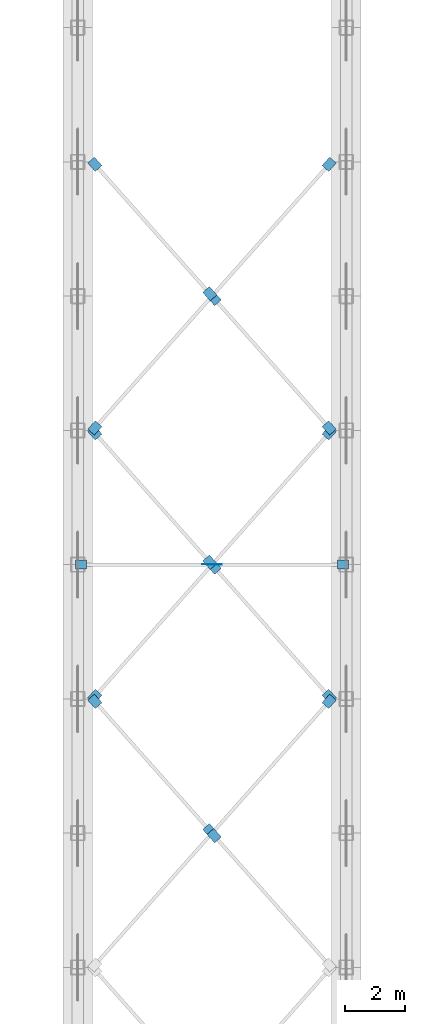
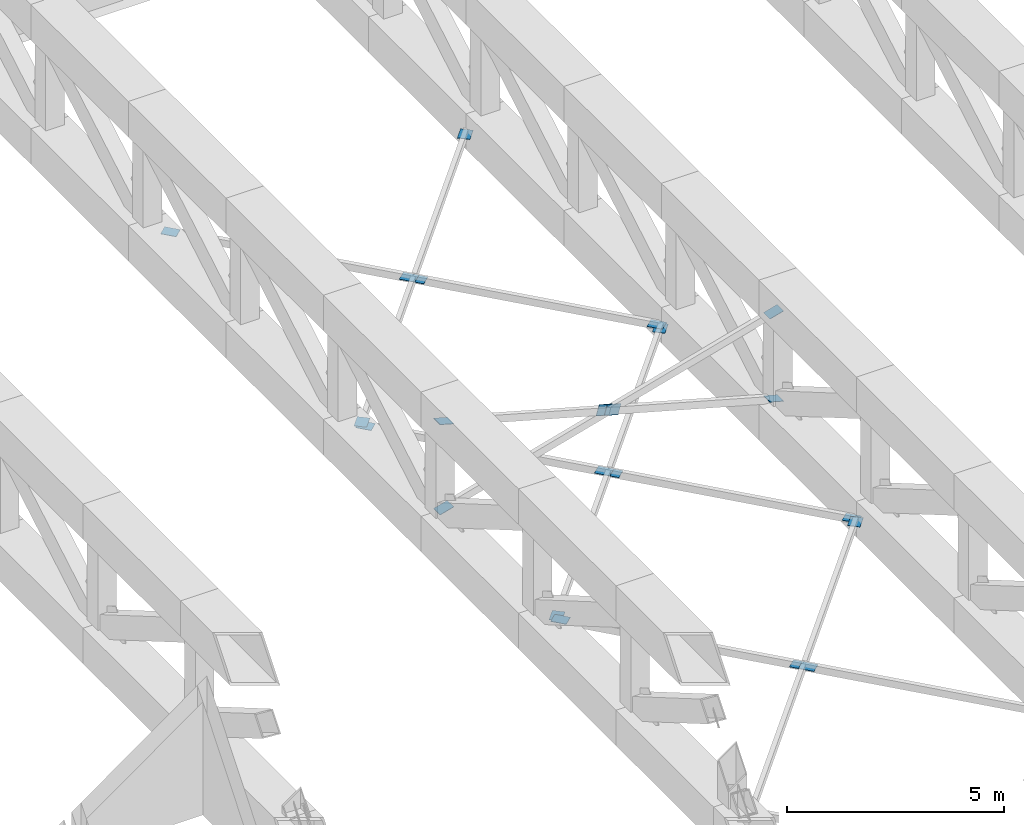
# One storey, part 62 of 76: 22 discrete accessories.
"""IFC4 building model written with IfcOpenShell, lengths in metres."""

from ifc_helpers import new_model, si_unit, direction, frame, origin, place, context, subcontext, project, spatial, polyline, outline, extrude, material, layer, layer_set, type_object, element, save


model = new_model("IFC4")

# Units and contexts
model_context = context("Model", 3, precision=1e-05, world=origin(), true_north=direction((0.0, 1.0)))
body_context = subcontext(model_context, "Body", "Model", "MODEL_VIEW")
ifc_project = project(units=[si_unit("LENGTHUNIT", "METRE"), si_unit("AREAUNIT", "SQUARE_METRE"), si_unit("VOLUMEUNIT", "CUBIC_METRE"), si_unit("PLANEANGLEUNIT", "RADIAN"), si_unit("MASSUNIT", "GRAM", prefix="KILO")], contexts=[model_context])

# Site, building, storey
site_placement = place(None, origin())
site = spatial("IfcSite", under=ifc_project, at=site_placement, CompositionType="ELEMENT")
building_placement = place(site_placement, origin())
building = spatial("IfcBuilding", under=site, at=building_placement, Name="Aravalli Gate Trade Fair Centre", CompositionType="ELEMENT")
storey_placement = place(building_placement, frame((0.0, 0.0, 10.0)))
storey = spatial("IfcBuildingStorey", under=building, at=storey_placement, Name="L02", CompositionType="ELEMENT", Elevation=10.0)

# Discrete accessories
ifc_material = material(Name="Steel E350", Category="steel")
ifc_layer = layer(ifc_material, 0.011962890625)
ifc_layer_set = layer_set([ifc_layer], Name="Steel E350")
discrete_accessory_type = type_object("IfcDiscreteAccessoryType", Name="Gusset plate 300 x 300 x 12", PredefinedType="USERDEFINED", material=ifc_layer_set)
discrete_accessory_1_placement = place(storey_placement, frame((32.412841796875, 72.676025390625, 0.506103515625), z_axis=(0.0, 0.0, 1.0), x_axis=(0.664124608323, 0.747621899505, 0.0)))
element("IfcDiscreteAccessory", 1, at=discrete_accessory_1_placement, inside=storey, type_object=discrete_accessory_type, Name="Gusset plate FT plan brace bay 3 cell 3A end B", ObjectType="GUSSET PLATE", PredefinedType="USERDEFINED", context=body_context, shape_type="SweptSolid", body=[
    extrude(outline(polyline([(0.0, 0.0), (0.3801115078198438, 0.0), (0.38004533471122237, 0.3000464370207233), (0.0002784915661413201, 0.30002605193986837), (0.0, 0.0)])), origin(), (0.0, 0.0, -1.0), 0.011962890625),
])
discrete_accessory_2_placement = place(storey_placement, frame((24.587158203125, 72.676025390625, 0.506103515625), z_axis=(0.0, 0.0, 1.0), x_axis=(-0.664124608323, 0.747621899505, 0.0)))
element("IfcDiscreteAccessory", 2, at=discrete_accessory_2_placement, inside=storey, type_object=discrete_accessory_type, Name="Gusset plate FT plan brace bay 3 cell 3B half 1 end A", ObjectType="GUSSET PLATE", PredefinedType="USERDEFINED", context=body_context, shape_type="SweptSolid", body=[
    extrude(outline(polyline([(0.0, 0.0), (0.3801115078198438, 0.0), (0.38004533471122237, -0.3000464370207233), (0.0002784915661413201, -0.30002605193986837), (0.0, 0.0)])), origin(), (0.0, 0.0, -1.0), 0.011962890625),
])
discrete_accessory_3_placement = place(storey_placement, frame((28.188720703125, 68.62451171875, 0.506103515625), z_axis=(0.0, 0.0, 1.0), x_axis=(0.664084476604, -0.747657547232, 0.0)))
element("IfcDiscreteAccessory", 3, at=discrete_accessory_3_placement, inside=storey, type_object=discrete_accessory_type, Name="Gusset plate FT plan brace bay 3 cell 3B half 1 end B", ObjectType="GUSSET PLATE", PredefinedType="USERDEFINED", context=body_context, shape_type="SweptSolid", body=[
    extrude(outline(polyline([(0.0, 0.0), (0.37976684369219504, 0.0), (0.3798169109426651, 0.30004644014049164), (-0.0002945963295681586, 0.30002603655879534), (0.0, 0.0)])), origin(), (0.0, 0.0, -1.0), 0.011962890625),
])
discrete_accessory_4_placement = place(storey_placement, frame((28.587158203125, 68.176025390625, 0.506103515625), z_axis=(0.0, 0.0, 1.0), x_axis=(-0.664124608323, 0.747621899505, 0.0)))
element("IfcDiscreteAccessory", 4, at=discrete_accessory_4_placement, inside=storey, type_object=discrete_accessory_type, Name="Gusset plate FT plan brace bay 3 cell 3B half 2 end A", ObjectType="GUSSET PLATE", PredefinedType="USERDEFINED", context=body_context, shape_type="SweptSolid", body=[
    extrude(outline(polyline([(0.0, 0.0), (0.3801115078198438, 0.0), (0.38004533471122237, -0.3000464370207233), (0.0002784915661413201, -0.30002605193986837), (0.0, 0.0)])), origin(), (0.0, 0.0, -1.0), 0.011962890625),
])
discrete_accessory_5_placement = place(storey_placement, frame((24.811279296875, 73.12451171875, 0.506103515625), z_axis=(0.0, 0.0, 1.0), x_axis=(-0.664084476604, -0.747657547232, 0.0)))
element("IfcDiscreteAccessory", 5, at=discrete_accessory_5_placement, inside=storey, type_object=discrete_accessory_type, Name="Gusset plate FT plan brace bay 3 cell 4A end A", ObjectType="GUSSET PLATE", PredefinedType="USERDEFINED", context=body_context, shape_type="SweptSolid", body=[
    extrude(outline(polyline([(0.0, 0.0), (0.37976684369219504, 0.0), (0.3798169109426651, -0.30004644014049164), (-0.0002945963295681586, -0.30002603655879534), (0.0, 0.0)])), origin(), (0.0, 0.0, -1.0), 0.011962890625),
])
discrete_accessory_6_placement = place(storey_placement, frame((32.412841796875, 81.676025390625, 0.506103515625), z_axis=(0.0, 0.0, 1.0), x_axis=(0.664124608323, 0.747621899505, 0.0)))
element("IfcDiscreteAccessory", 6, at=discrete_accessory_6_placement, inside=storey, type_object=discrete_accessory_type, Name="Gusset plate FT plan brace bay 3 cell 4A end B", ObjectType="GUSSET PLATE", PredefinedType="USERDEFINED", context=body_context, shape_type="SweptSolid", body=[
    extrude(outline(polyline([(0.0, 0.0), (0.3801115078198438, 0.0), (0.38004533471122237, 0.3000464370207233), (0.0002784915661413201, 0.30002605193986837), (0.0, 0.0)])), origin(), (0.0, 0.0, -1.0), 0.011962890625),
])
discrete_accessory_7_placement = place(storey_placement, frame((24.587158203125, 81.676025390625, 0.506103515625), z_axis=(0.0, 0.0, 1.0), x_axis=(-0.664124608323, 0.747621899505, 0.0)))
element("IfcDiscreteAccessory", 7, at=discrete_accessory_7_placement, inside=storey, type_object=discrete_accessory_type, Name="Gusset plate FT plan brace bay 3 cell 4B half 1 end A", ObjectType="GUSSET PLATE", PredefinedType="USERDEFINED", context=body_context, shape_type="SweptSolid", body=[
    extrude(outline(polyline([(0.0, 0.0), (0.3801115078198438, 0.0), (0.38004533471122237, -0.3000464370207233), (0.0002784915661413201, -0.30002605193986837), (0.0, 0.0)])), origin(), (0.0, 0.0, -1.0), 0.011962890625),
])
discrete_accessory_8_placement = place(storey_placement, frame((28.188720703125, 77.62451171875, 0.506103515625), z_axis=(0.0, 0.0, 1.0), x_axis=(0.664084476604, -0.747657547232, 0.0)))
element("IfcDiscreteAccessory", 8, at=discrete_accessory_8_placement, inside=storey, type_object=discrete_accessory_type, Name="Gusset plate FT plan brace bay 3 cell 4B half 1 end B", ObjectType="GUSSET PLATE", PredefinedType="USERDEFINED", context=body_context, shape_type="SweptSolid", body=[
    extrude(outline(polyline([(0.0, 0.0), (0.37976684369219504, 0.0), (0.3798169109426651, 0.30004644014049164), (-0.0002945963295681586, 0.30002603655879534), (0.0, 0.0)])), origin(), (0.0, 0.0, -1.0), 0.011962890625),
])
discrete_accessory_9_placement = place(storey_placement, frame((28.587158203125, 77.176025390625, 0.506103515625), z_axis=(0.0, 0.0, 1.0), x_axis=(-0.664124608323, 0.747621899505, 0.0)))
element("IfcDiscreteAccessory", 9, at=discrete_accessory_9_placement, inside=storey, type_object=discrete_accessory_type, Name="Gusset plate FT plan brace bay 3 cell 4B half 2 end A", ObjectType="GUSSET PLATE", PredefinedType="USERDEFINED", context=body_context, shape_type="SweptSolid", body=[
    extrude(outline(polyline([(0.0, 0.0), (0.3801115078198438, 0.0), (0.38004533471122237, -0.3000464370207233), (0.0002784915661413201, -0.30002605193986837), (0.0, 0.0)])), origin(), (0.0, 0.0, -1.0), 0.011962890625),
])
discrete_accessory_10_placement = place(storey_placement, frame((32.188720703125, 73.12451171875, 0.506103515625), z_axis=(0.0, 0.0, 1.0), x_axis=(0.664084476604, -0.747657547232, 0.0)))
element("IfcDiscreteAccessory", 10, at=discrete_accessory_10_placement, inside=storey, type_object=discrete_accessory_type, Name="Gusset plate FT plan brace bay 3 cell 4B half 2 end B", ObjectType="GUSSET PLATE", PredefinedType="USERDEFINED", context=body_context, shape_type="SweptSolid", body=[
    extrude(outline(polyline([(0.0, 0.0), (0.37976684369219504, 0.0), (0.3798169109426651, 0.30004644014049164), (-0.0002945963295681586, 0.30002603655879534), (0.0, 0.0)])), origin(), (0.0, 0.0, -1.0), 0.011962890625),
])
discrete_accessory_11_placement = place(storey_placement, frame((24.811279296875, 82.12451171875, 0.506103515625), z_axis=(0.0, 0.0, 1.0), x_axis=(-0.664084476604, -0.747657547232, 0.0)))
element("IfcDiscreteAccessory", 11, at=discrete_accessory_11_placement, inside=storey, type_object=discrete_accessory_type, Name="Gusset plate FT plan brace bay 3 cell 5A end A", ObjectType="GUSSET PLATE", PredefinedType="USERDEFINED", context=body_context, shape_type="SweptSolid", body=[
    extrude(outline(polyline([(0.0, 0.0), (0.37976684369219504, 0.0), (0.3798169109426651, -0.30004644014049164), (-0.0002945963295681586, -0.30002603655879534), (0.0, 0.0)])), origin(), (0.0, 0.0, -1.0), 0.011962890625),
])
discrete_accessory_12_placement = place(storey_placement, frame((32.412841796875, 90.676025390625, 0.506103515625), z_axis=(0.0, 0.0, 1.0), x_axis=(0.664124608323, 0.747621899505, 0.0)))
element("IfcDiscreteAccessory", 12, at=discrete_accessory_12_placement, inside=storey, type_object=discrete_accessory_type, Name="Gusset plate FT plan brace bay 3 cell 5A end B", ObjectType="GUSSET PLATE", PredefinedType="USERDEFINED", context=body_context, shape_type="SweptSolid", body=[
    extrude(outline(polyline([(0.0, 0.0), (0.3801115078198438, 0.0), (0.38004533471122237, 0.3000464370207233), (0.0002784915661413201, 0.30002605193986837), (0.0, 0.0)])), origin(), (0.0, 0.0, -1.0), 0.011962890625),
])
discrete_accessory_13_placement = place(storey_placement, frame((24.587158203125, 90.676025390625, 0.506103515625), z_axis=(0.0, 0.0, 1.0), x_axis=(-0.664124608323, 0.747621899505, 0.0)))
element("IfcDiscreteAccessory", 13, at=discrete_accessory_13_placement, inside=storey, type_object=discrete_accessory_type, Name="Gusset plate FT plan brace bay 3 cell 5B half 1 end A", ObjectType="GUSSET PLATE", PredefinedType="USERDEFINED", context=body_context, shape_type="SweptSolid", body=[
    extrude(outline(polyline([(0.0, 0.0), (0.3801115078198438, 0.0), (0.38004533471122237, -0.3000464370207233), (0.0002784915661413201, -0.30002605193986837), (0.0, 0.0)])), origin(), (0.0, 0.0, -1.0), 0.011962890625),
])
discrete_accessory_14_placement = place(storey_placement, frame((28.188720703125, 86.62451171875, 0.506103515625), z_axis=(0.0, 0.0, 1.0), x_axis=(0.664084476604, -0.747657547232, 0.0)))
element("IfcDiscreteAccessory", 14, at=discrete_accessory_14_placement, inside=storey, type_object=discrete_accessory_type, Name="Gusset plate FT plan brace bay 3 cell 5B half 1 end B", ObjectType="GUSSET PLATE", PredefinedType="USERDEFINED", context=body_context, shape_type="SweptSolid", body=[
    extrude(outline(polyline([(0.0, 0.0), (0.37976684369219504, 0.0), (0.3798169109426651, 0.30004644014049164), (-0.0002945963295681586, 0.30002603655879534), (0.0, 0.0)])), origin(), (0.0, 0.0, -1.0), 0.011962890625),
])
discrete_accessory_15_placement = place(storey_placement, frame((28.587158203125, 86.176025390625, 0.506103515625), z_axis=(0.0, 0.0, 1.0), x_axis=(-0.664124608323, 0.747621899505, 0.0)))
element("IfcDiscreteAccessory", 15, at=discrete_accessory_15_placement, inside=storey, type_object=discrete_accessory_type, Name="Gusset plate FT plan brace bay 3 cell 5B half 2 end A", ObjectType="GUSSET PLATE", PredefinedType="USERDEFINED", context=body_context, shape_type="SweptSolid", body=[
    extrude(outline(polyline([(0.0, 0.0), (0.3801115078198438, 0.0), (0.38004533471122237, -0.3000464370207233), (0.0002784915661413201, -0.30002605193986837), (0.0, 0.0)])), origin(), (0.0, 0.0, -1.0), 0.011962890625),
])
discrete_accessory_16_placement = place(storey_placement, frame((32.188720703125, 82.12451171875, 0.506103515625), z_axis=(0.0, 0.0, 1.0), x_axis=(0.664084476604, -0.747657547232, 0.0)))
element("IfcDiscreteAccessory", 16, at=discrete_accessory_16_placement, inside=storey, type_object=discrete_accessory_type, Name="Gusset plate FT plan brace bay 3 cell 5B half 2 end B", ObjectType="GUSSET PLATE", PredefinedType="USERDEFINED", context=body_context, shape_type="SweptSolid", body=[
    extrude(outline(polyline([(0.0, 0.0), (0.37976684369219504, 0.0), (0.3798169109426651, 0.30004644014049164), (-0.0002945963295681586, 0.30002603655879534), (0.0, 0.0)])), origin(), (0.0, 0.0, -1.0), 0.011962890625),
])
discrete_accessory_17_placement = place(storey_placement, frame((24.287353515625, 77.35009765625, 1.086181640625), z_axis=(-0.268008474485, 0.0, 0.963416554562), x_axis=(-0.963416554562, 0.0, -0.268008474485)))
element("IfcDiscreteAccessory", 17, at=discrete_accessory_17_placement, inside=storey, type_object=discrete_accessory_type, Name="Gusset plate FT vertical brace bay 3 frame 2A end A", ObjectType="GUSSET PLATE", PredefinedType="USERDEFINED", context=body_context, shape_type="SweptSolid", body=[
    extrude(outline(polyline([(0.0, 0.0), (0.3798635129757732, 0.0), (0.3798635129757732, -0.29980468749999994), (0.0, -0.29980468749999994), (0.0, 0.0)])), origin(), (0.0, 0.0, -1.0), 0.011962890625),
])
discrete_accessory_18_placement = place(storey_placement, frame((32.709228515625, 77.35009765625, 3.425537109375), z_axis=(-0.267246240794, 0.0, 0.963628272095), x_axis=(0.963628272095, 0.0, 0.267246240794)))
element("IfcDiscreteAccessory", 18, at=discrete_accessory_18_placement, inside=storey, type_object=discrete_accessory_type, Name="Gusset plate FT vertical brace bay 3 frame 2A end B", ObjectType="GUSSET PLATE", PredefinedType="USERDEFINED", context=body_context, shape_type="SweptSolid", body=[
    extrude(outline(polyline([(0.0, 0.0), (0.3800334092561849, 0.0), (0.3800334092561849, 0.2998046875), (0.0, 0.2998046875), (0.0, 0.0)])), origin(), (0.0, 0.0, -1.0), 0.011962890625),
])
discrete_accessory_19_placement = place(storey_placement, frame((24.290771484375, 77.35009765625, 3.425537109375), z_axis=(0.267246240794, 0.0, 0.963628272095), x_axis=(-0.963628272095, 0.0, 0.267246240794)))
element("IfcDiscreteAccessory", 19, at=discrete_accessory_19_placement, inside=storey, type_object=discrete_accessory_type, Name="Gusset plate FT vertical brace bay 3 frame 2B half 1 end A", ObjectType="GUSSET PLATE", PredefinedType="USERDEFINED", context=body_context, shape_type="SweptSolid", body=[
    extrude(outline(polyline([(0.0, 0.0), (0.3800334092561849, 0.0), (0.3800334092561849, -0.2998046875), (0.0, -0.2998046875), (0.0, 0.0)])), origin(), (0.0, 0.0, -1.0), 0.011962890625),
])
discrete_accessory_20_placement = place(storey_placement, frame((28.1708984375, 77.506103515625, 2.185791015625), z_axis=(0.0, -1.0, 0.0), x_axis=(0.963416554562, 0.0, -0.268008474485)))
element("IfcDiscreteAccessory", 20, at=discrete_accessory_20_placement, inside=storey, type_object=discrete_accessory_type, Name="Gusset plate FT vertical brace bay 3 frame 2B half 1 end B", ObjectType="GUSSET PLATE", PredefinedType="USERDEFINED", context=body_context, shape_type="SweptSolid", body=[
    extrude(outline(polyline([(0.0, 0.0), (0.3798635129757732, 0.0), (0.37977611372313164, 0.30001464568042957), (-8.73992526415901e-05, 0.30001464568042957), (0.0, 0.0)])), origin(), (0.0, 0.0, -1.0), 0.011962890625),
])
discrete_accessory_21_placement = place(storey_placement, frame((28.748779296875, 77.506103515625, 2.025146484375), z_axis=(0.0, 1.0, 0.0), x_axis=(-0.963416554562, 0.0, 0.268008474485)))
element("IfcDiscreteAccessory", 21, at=discrete_accessory_21_placement, inside=storey, type_object=discrete_accessory_type, Name="Gusset plate FT vertical brace bay 3 frame 2B half 2 end A", ObjectType="GUSSET PLATE", PredefinedType="USERDEFINED", context=body_context, shape_type="SweptSolid", body=[
    extrude(outline(polyline([(0.0, 0.0), (0.3798635129757732, 0.0), (0.3799509122284148, 0.30001464568042957), (8.73992526415901e-05, 0.30001464568042957), (0.0, 0.0)])), origin(), (0.0, 0.0, -1.0), 0.011962890625),
])
discrete_accessory_22_placement = place(storey_placement, frame((32.712646484375, 77.35009765625, 1.086181640625), z_axis=(0.268008474485, 0.0, 0.963416554562), x_axis=(0.963416554562, 0.0, -0.268008474485)))
element("IfcDiscreteAccessory", 22, at=discrete_accessory_22_placement, inside=storey, type_object=discrete_accessory_type, Name="Gusset plate FT vertical brace bay 3 frame 2B half 2 end B", ObjectType="GUSSET PLATE", PredefinedType="USERDEFINED", context=body_context, shape_type="SweptSolid", body=[
    extrude(outline(polyline([(0.0, 0.0), (0.3798635129757732, 0.0), (0.3798635129757732, 0.29980468749999994), (0.0, 0.29980468749999994), (0.0, 0.0)])), origin(), (0.0, 0.0, -1.0), 0.011962890625),
])

save(model, "model.ifc")
